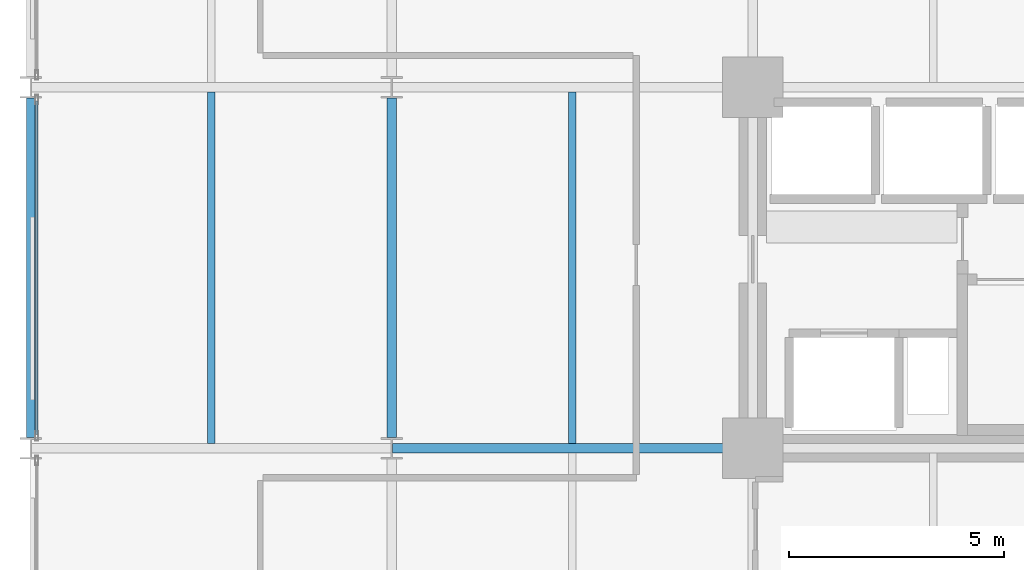
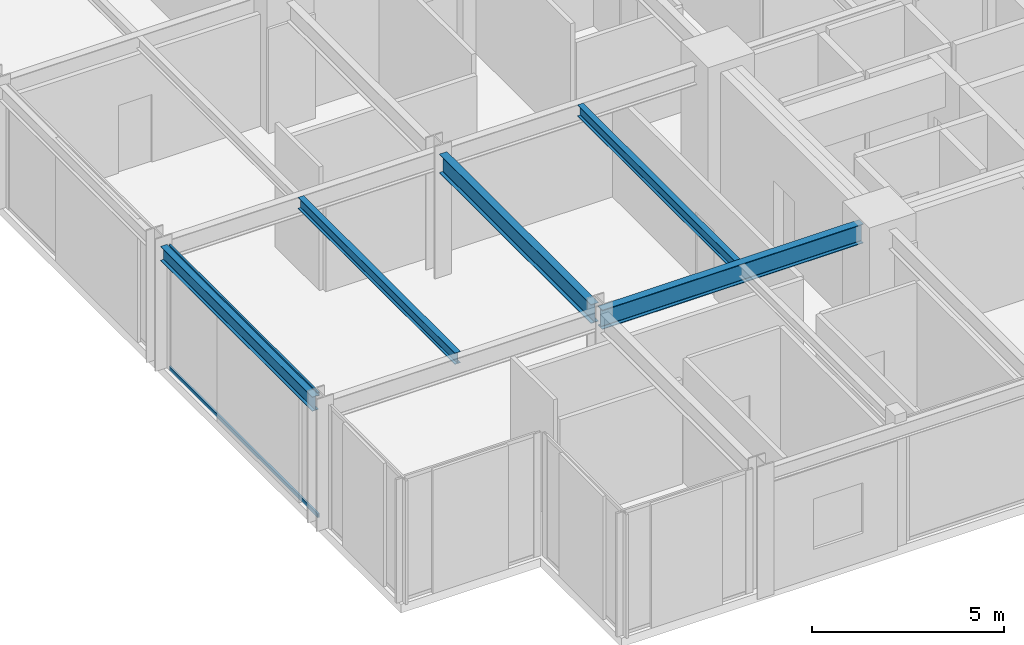
# One storey, part 3 of 24: 5 beams, 2 members, 1 element without a shape of its own.
"""IFC4 building model written with IfcOpenShell, lengths in metres."""

from ifc_helpers import new_model, si_unit, direction, frame, origin, origin_2d, place, context, subcontext, project, spatial, hollow_rectangle, i_section, extrude, material, layer, layer_set, material_profile, profile_set, type_object, element, aggregate, save


model = new_model("IFC4")

# Units and contexts
model_context = context("Model", 3, precision=1e-05, world=origin(), true_north=direction((0.0, 1.0)))
body_context = subcontext(model_context, "Body", "Model", "MODEL_VIEW")
ifc_project = project(units=[si_unit("LENGTHUNIT", "METRE"), si_unit("AREAUNIT", "SQUARE_METRE"), si_unit("VOLUMEUNIT", "CUBIC_METRE"), si_unit("PLANEANGLEUNIT", "RADIAN"), si_unit("MASSUNIT", "GRAM", prefix="KILO")], contexts=[model_context])

# Site, building, storey
site_placement = place(None, origin())
site = spatial("IfcSite", under=ifc_project, at=site_placement, CompositionType="ELEMENT")
building_placement = place(site_placement, origin())
building = spatial("IfcBuilding", under=site, at=building_placement, Name="Nerrivon Quay Data Exchange", CompositionType="ELEMENT")
storey_placement = place(building_placement, frame((0.0, 0.0, 37.39990234375)))
storey = spatial("IfcBuildingStorey", under=building, at=storey_placement, Name="L08", CompositionType="ELEMENT", Elevation=37.39990234375)

# Beams
ifc_material_1 = material(Name="Steel Grade 350", Category="steel")
ifc_material_profile_1 = material_profile(ifc_material_1, i_section(OverallWidth=0.22900390625, OverallDepth=0.612060546875, WebThickness=0.011962890625, FlangeThickness=0.01953125, FilletRadius=0.013916015625, at=origin_2d()), Name="610UB125")
ifc_profile_set_1 = profile_set([ifc_material_profile_1], Name="Steel Grade 350")
beam_type_1 = type_object("IfcBeamType", Name="BM-G1-610UB125", PredefinedType="BEAM", material=ifc_profile_set_1)
beam_1_placement = place(storey_placement, frame((8.4140625, 8.39990234375, 3.619140625), z_axis=(1.0, 0.0, 0.0), x_axis=(0.0, 1.0, 0.0)))
element("IfcBeam", 1, at=beam_1_placement, inside=storey, type_object=beam_type_1, Name="L08 EW Girder Y=8.4 (8.4..16.8)", PredefinedType="BEAM", context=body_context, shape_type="SweptSolid", body=[
    extrude(i_section(OverallWidth=0.22900390625, OverallDepth=0.612060546875, WebThickness=0.011962890625, FlangeThickness=0.01953125, FilletRadius=0.013916015625, at=origin_2d()), origin(), (0.0, 0.0, 1.0), 7.845947265625),
])
ifc_material_profile_2 = material_profile(ifc_material_1, i_section(OverallWidth=0.22802734375, OverallDepth=0.60205078125, WebThickness=0.010498046875, FlangeThickness=0.014892578125, FilletRadius=0.013916015625, at=origin_2d()), Name="610UB101")
ifc_profile_set_2 = profile_set([ifc_material_profile_2], Name="Steel Grade 350")
beam_type_2 = type_object("IfcBeamType", Name="BM-G2-610UB101", PredefinedType="BEAM", material=ifc_profile_set_2)
beam_2_placement = place(storey_placement, frame((8.39990234375, 8.64990234375, 3.6240234375), z_axis=(0.0, 1.0, 0.0), x_axis=(-1.0, 0.0, 0.0)))
element("IfcBeam", 2, at=beam_2_placement, inside=storey, type_object=beam_type_2, Name="L08 NS Girder X=8.4 (8.4..16.8)", PredefinedType="BEAM", context=body_context, shape_type="SweptSolid", body=[
    extrude(i_section(OverallWidth=0.22802734375, OverallDepth=0.60205078125, WebThickness=0.010498046875, FlangeThickness=0.014892578125, FilletRadius=0.013916015625, at=origin_2d()), origin(), (0.0, 0.0, 1.0), 7.900146484375),
])
ifc_material_profile_3 = material_profile(ifc_material_1, i_section(OverallWidth=0.172119140625, OverallDepth=0.35888671875, WebThickness=0.008056640625, FlangeThickness=0.012939453125, FilletRadius=0.011474609375, at=origin_2d()), Name="360UB56.7")
ifc_profile_set_3 = profile_set([ifc_material_profile_3], Name="Steel Grade 350")
beam_type_3 = type_object("IfcBeamType", Name="BM-J3-360UB57", PredefinedType="JOIST", material=ifc_profile_set_3)
for number, where, z_axis, x_axis, name in (
    (3, (4.199951171875, 8.514404296875, 3.74560546875), (0.0, 1.0, 0.0), (-1.0, 0.0, 0.0), "L08 Secondary Joist X=4.2 (8.4..16.8)"),
    (4, (12.60009765625, 8.514404296875, 3.74560546875), (0.0, 1.0, 0.0), (-1.0, 0.0, 0.0), "L08 Secondary Joist X=12.6 (8.4..16.8)"),
):
    element("IfcBeam", number, at=place(storey_placement, frame(where, z_axis=z_axis, x_axis=x_axis)), inside=storey, type_object=beam_type_3, Name=name, PredefinedType="JOIST", context=body_context, shape_type="SweptSolid", body=[
        extrude(i_section(OverallWidth=0.172119140625, OverallDepth=0.35888671875, WebThickness=0.008056640625, FlangeThickness=0.012939453125, FilletRadius=0.011474609375, at=origin_2d()), origin(), (0.0, 0.0, 1.0), 8.171142578125),
    ])
ifc_material_profile_4 = material_profile(ifc_material_1, i_section(OverallWidth=0.18994140625, OverallDepth=0.4541015625, WebThickness=0.008544921875, FlangeThickness=0.0126953125, FilletRadius=0.011474609375, at=origin_2d()), Name="460UB67.1")
ifc_profile_set_4 = profile_set([ifc_material_profile_4], Name="Steel Grade 350")
beam_type_4 = type_object("IfcBeamType", Name="BM-SP1-460UB67", PredefinedType="SPANDREL", material=ifc_profile_set_4)
beam_3_placement = place(storey_placement, frame((0.0, 8.64990234375, 3.697998046875), z_axis=(0.0, 1.0, 0.0), x_axis=(-1.0, 0.0, 0.0)))
element("IfcBeam", 5, at=beam_3_placement, inside=storey, type_object=beam_type_4, Name="L08 NS Girder X=0.0 (8.4..16.8)", PredefinedType="SPANDREL", context=body_context, shape_type="SweptSolid", body=[
    extrude(i_section(OverallWidth=0.18994140625, OverallDepth=0.4541015625, WebThickness=0.008544921875, FlangeThickness=0.0126953125, FilletRadius=0.011474609375, at=origin_2d()), origin(), (0.0, 0.0, 1.0), 7.900146484375),
])

# Curtain wall, members
ifc_material_2 = material(Name="Anodised aluminium 6063-T6", Category="aluminium")
ifc_layer = layer(ifc_material_2, 0.219970703125)
ifc_layer_set = layer_set([ifc_layer], Name="Anodised aluminium 6063-T6")
curtain_wall_type = type_object("IfcCurtainWallType", Name="CW-SYS-01", PredefinedType="NOTDEFINED", material=ifc_layer_set)
curtain_wall_placement = place(storey_placement, origin())
curtain_wall = element("IfcCurtainWall", 6, at=curtain_wall_placement, inside=storey, type_object=curtain_wall_type, Name="L08 Unitised Curtain Wall 14", PredefinedType="NOTDEFINED")
ifc_material_profile_5 = material_profile(ifc_material_2, hollow_rectangle(XDim=0.06005859375, YDim=0.1201171875, WallThickness=0.003173828125, at=origin_2d()), Name="ALU-TRAN-120x60")
ifc_profile_set_5 = profile_set([ifc_material_profile_5], Name="Anodised aluminium 6063-T6")
member_type = type_object("IfcMemberType", Name="CWT-120x60", PredefinedType="USERDEFINED", material=ifc_profile_set_5)
member_1_placement = place(storey_placement, frame((0.139892578125, 8.72509765625, 0.03271484375), z_axis=(0.0, 1.0, 0.0), x_axis=(-1.0, 0.0, 0.0)))
member_1 = element("IfcMember", 7, at=member_1_placement, type_object=member_type, Name="CW01 transom 1.1", ObjectType="TRANSOM", PredefinedType="USERDEFINED", context=body_context, shape_type="SweptSolid", body=[
    extrude(hollow_rectangle(XDim=0.06005859375, YDim=0.1201171875, WallThickness=0.003173828125, at=origin_2d()), origin(), (0.0, 0.0, 1.0), 7.75),
])
member_2_placement = place(storey_placement, frame((0.139892578125, 8.72509765625, 3.892578125), z_axis=(0.0, 1.0, 0.0), x_axis=(-1.0, 0.0, 0.0)))
member_2 = element("IfcMember", 8, at=member_2_placement, type_object=member_type, Name="CW01 transom 1.2", ObjectType="TRANSOM", PredefinedType="USERDEFINED", context=body_context, shape_type="SweptSolid", body=[
    extrude(hollow_rectangle(XDim=0.06005859375, YDim=0.1201171875, WallThickness=0.003173828125, at=origin_2d()), origin(), (0.0, 0.0, 1.0), 7.75),
])
aggregate(curtain_wall, [member_1, member_2])

save(model, "model.ifc")
